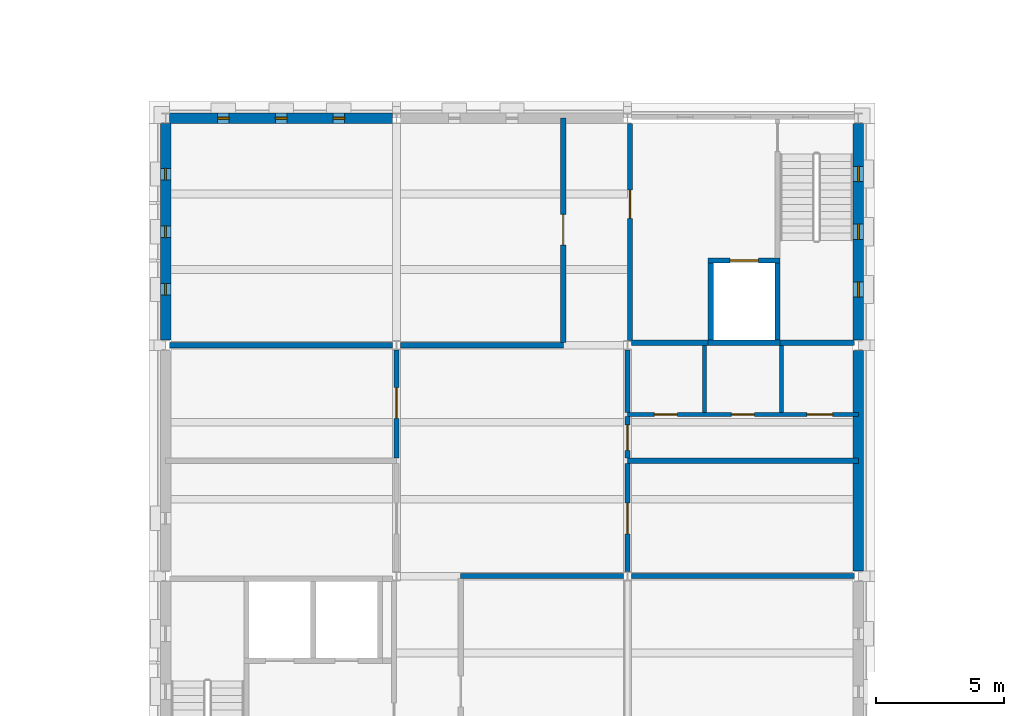
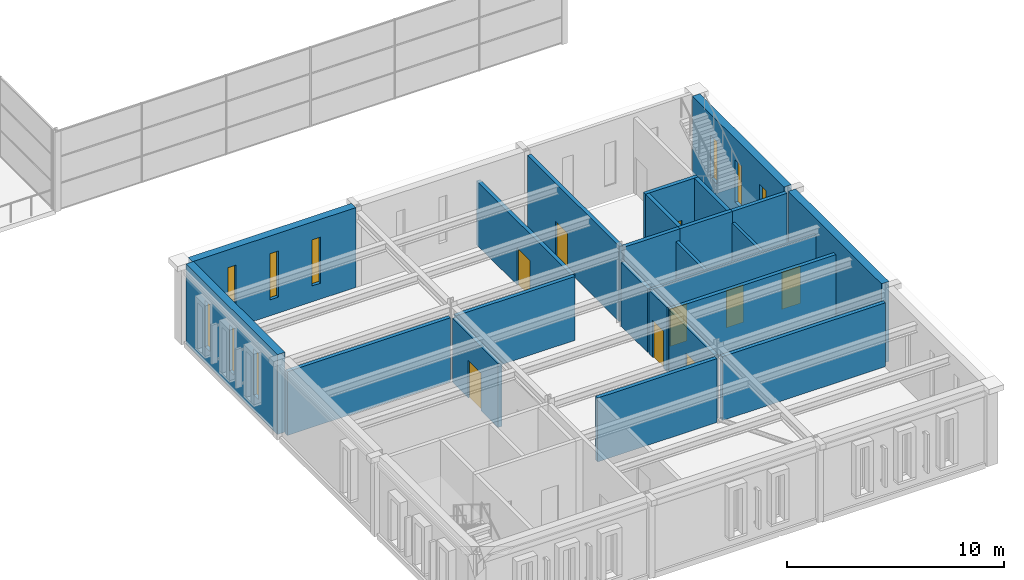
# One storey, part 50 of 70: 24 walls, 9 doors, 9 windows, 18 openings.
"""IFC4 building model written with IfcOpenShell, lengths in metres."""

from ifc_helpers import new_model, si_unit, direction, frame, frame_2d, origin, place, context, subcontext, project, spatial, rectangle, extrude, material, layer, layer_set, type_object, element, fill, save


model = new_model("IFC4")

# Units and contexts
model_context = context("Model", 3, precision=1e-05, world=origin(), true_north=direction((0.0, 1.0)))
body_context = subcontext(model_context, "Body", "Model", "MODEL_VIEW")
ifc_project = project(units=[si_unit("LENGTHUNIT", "METRE"), si_unit("AREAUNIT", "SQUARE_METRE"), si_unit("VOLUMEUNIT", "CUBIC_METRE"), si_unit("PLANEANGLEUNIT", "RADIAN"), si_unit("MASSUNIT", "GRAM", prefix="KILO")], contexts=[model_context])

# Site, building, storey
site_placement = place(None, origin())
site = spatial("IfcSite", under=ifc_project, at=site_placement, CompositionType="ELEMENT")
building_placement = place(site_placement, origin())
building = spatial("IfcBuilding", under=site, at=building_placement, Name="Kallimachos Central Library", CompositionType="ELEMENT")
storey_placement = place(building_placement, frame((0.0, 0.0, 18.89990234375)))
storey = spatial("IfcBuildingStorey", under=building, at=storey_placement, Name="L04", CompositionType="ELEMENT", Elevation=18.89990234375)

# Walls
ifc_material_1 = material(Name="Concrete C30/37", Category="concrete")
ifc_layer_1 = layer(ifc_material_1, 0.199951171875)
ifc_layer_set_1 = layer_set([ifc_layer_1], Name="Compartment wall 200")
wall_type_1 = type_object("IfcWallType", Name="Compartment wall 200", PredefinedType="SOLIDWALL", material=ifc_layer_set_1)
wall_1_placement = place(storey_placement, frame((86.0, 27.0, 0.0), z_axis=(0.0, 0.0, 1.0), x_axis=(1.0, 0.0, 0.0)))
element("IfcWall", 1, at=wall_1_placement, inside=storey, type_object=wall_type_1, Name="V5-WAL-L04-031", PredefinedType="SOLIDWALL", context=body_context, shape_type="SweptSolid", body=[
    extrude(rectangle(XDim=6.35009765625, YDim=0.199951171875, at=frame_2d((3.175048828125, 0.0))), origin(), (0.0, 0.0, 1.0), 3.60009765625),
])
wall_2_placement = place(storey_placement, frame((92.64990234375, 27.0, 0.0), z_axis=(0.0, 0.0, 1.0), x_axis=(1.0, 0.0, 0.0)))
element("IfcWall", 2, at=wall_2_placement, inside=storey, type_object=wall_type_1, Name="V5-WAL-L04-032", PredefinedType="SOLIDWALL", context=body_context, shape_type="SweptSolid", body=[
    extrude(rectangle(XDim=8.7001953125, YDim=0.199951171875, at=frame_2d((4.35009765625, 0.0))), origin(), (0.0, 0.0, 1.0), 3.60009765625),
])
wall_3_placement = place(storey_placement, frame((92.5, 31.5, 0.0), z_axis=(0.0, 0.0, 1.0), x_axis=(1.0, 0.0, 0.0)))
element("IfcWall", 3, at=wall_3_placement, inside=storey, type_object=wall_type_1, Name="V5-WAL-L04-034", PredefinedType="SOLIDWALL", context=body_context, shape_type="SweptSolid", body=[
    extrude(rectangle(XDim=9.0, YDim=0.199951171875, at=frame_2d((4.5, 0.0))), origin(), (0.0, 0.0, 1.0), 3.60009765625),
])
wall_4_placement = place(storey_placement, frame((74.64990234375, 36.0, 0.0), z_axis=(0.0, 0.0, 1.0), x_axis=(1.0, 0.0, 0.0)))
element("IfcWall", 4, at=wall_4_placement, inside=storey, type_object=wall_type_1, Name="V5-WAL-L04-036", PredefinedType="SOLIDWALL", context=body_context, shape_type="SweptSolid", body=[
    extrude(rectangle(XDim=8.7001953125, YDim=0.199951171875, at=frame_2d((4.35009765625, 0.0))), origin(), (0.0, 0.0, 1.0), 3.60009765625),
])
wall_5_placement = place(storey_placement, frame((83.64990234375, 36.0, 0.0), z_axis=(0.0, 0.0, 1.0), x_axis=(1.0, 0.0, 0.0)))
element("IfcWall", 5, at=wall_5_placement, inside=storey, type_object=wall_type_1, Name="V5-WAL-L04-037", PredefinedType="SOLIDWALL", context=body_context, shape_type="SweptSolid", body=[
    extrude(rectangle(XDim=6.35009765625, YDim=0.199951171875, at=frame_2d((3.175048828125, 0.0))), origin(), (0.0, 0.0, 1.0), 3.60009765625),
])

# Wall, opening, door
wall_6_placement = place(storey_placement, frame((83.5, 31.60009765625, 0.0), z_axis=(0.0, 0.0, 1.0), x_axis=(0.0, 1.0, 0.0)))
wall_6 = element("IfcWall", 6, at=wall_6_placement, inside=storey, type_object=wall_type_1, Name="V5-WAL-L04-039", PredefinedType="SOLIDWALL", context=body_context, shape_type="SweptSolid", body=[
    extrude(rectangle(XDim=4.219970703125, YDim=0.199951171875, at=frame_2d((2.10986328125, 0.0))), origin(), (0.0, 0.0, 1.0), 3.60009765625),
])
opening_1_placement = place(wall_6_placement, frame((1.550048828125, 0.0, 0.0)))
opening_1 = element("IfcOpeningElement", 7, at=opening_1_placement, cuts=wall_6, Name="Opening D136", PredefinedType="OPENING", context=body_context, shape_type="SweptSolid", body=[
    extrude(rectangle(XDim=1.199951171875, YDim=2.10009765625, at=frame_2d((0.60009765625, 1.050048828125))), frame((0.0, 0.10986328125, 0.0), z_axis=(0.0, -1.0, 0.0), x_axis=(1.0, 0.0, 0.0)), (0.0, 0.0, 1.0), 0.219970703125),
])
ifc_material_2 = material(Name="Steel fire door", Category="steel")
door_type_1 = type_object("IfcDoorType", Name="Fire door EI2 90 1200 x 2100", OperationType="DOUBLE_DOOR_SINGLE_SWING", PredefinedType="DOOR", material=ifc_material_2)
door_1_placement = place(opening_1_placement, origin())
door_1 = element("IfcDoor", 8, at=door_1_placement, inside=storey, type_object=door_type_1, Name="Rare Books Vault 2 door", OperationType="DOUBLE_DOOR_SINGLE_SWING", OverallHeight=2.10009765625, OverallWidth=1.199951171875, PredefinedType="DOOR", context=body_context, shape_type="SweptSolid", body=[
    extrude(rectangle(XDim=1.199951171875, YDim=2.10009765625, at=frame_2d((0.60009765625, 1.050048828125))), frame((0.0, 0.02490234375, 0.0), z_axis=(0.0, -1.0, 0.0), x_axis=(1.0, 0.0, 0.0)), (0.0, 0.0, 1.0), 0.050048828125),
])
fill(opening_1, door_1)

wall_7_placement = place(storey_placement, frame((90.0, 36.10009765625, 0.0), z_axis=(0.0, 0.0, 1.0), x_axis=(0.0, 1.0, 0.0)))
wall_7 = element("IfcWall", 9, at=wall_7_placement, inside=storey, type_object=wall_type_1, Name="V5-WAL-L04-041", PredefinedType="SOLIDWALL", context=body_context, shape_type="SweptSolid", body=[
    extrude(rectangle(XDim=8.75, YDim=0.199951171875, at=frame_2d((4.375, 0.0))), origin(), (0.0, 0.0, 1.0), 3.60009765625),
])
opening_2_placement = place(wall_7_placement, frame((3.800048828125, 0.0, 0.0)))
opening_2 = element("IfcOpeningElement", 10, at=opening_2_placement, cuts=wall_7, Name="Opening D137", PredefinedType="OPENING", context=body_context, shape_type="SweptSolid", body=[
    extrude(rectangle(XDim=1.199951171875, YDim=2.10009765625, at=frame_2d((0.60009765625, 1.050048828125))), frame((0.0, 0.10986328125, 0.0), z_axis=(0.0, -1.0, 0.0), x_axis=(1.0, 0.0, 0.0)), (0.0, 0.0, 1.0), 0.219970703125),
])
door_2_placement = place(opening_2_placement, origin())
door_2 = element("IfcDoor", 11, at=door_2_placement, inside=storey, type_object=door_type_1, Name="Closed Stacks 4 door", OperationType="DOUBLE_DOOR_SINGLE_SWING", OverallHeight=2.10009765625, OverallWidth=1.199951171875, PredefinedType="DOOR", context=body_context, shape_type="SweptSolid", body=[
    extrude(rectangle(XDim=1.199951171875, YDim=2.10009765625, at=frame_2d((0.60009765625, 1.050048828125))), frame((0.0, 0.02490234375, 0.0), z_axis=(0.0, -1.0, 0.0), x_axis=(1.0, 0.0, 0.0)), (0.0, 0.0, 1.0), 0.050048828125),
])
fill(opening_2, door_2)

wall_8_placement = place(storey_placement, frame((92.5, 27.179931640625, 0.0), z_axis=(0.0, 0.0, 1.0), x_axis=(0.0, 1.0, 0.0)))
wall_8 = element("IfcWall", 12, at=wall_8_placement, inside=storey, type_object=wall_type_1, Name="V5-WAL-L04-042", PredefinedType="SOLIDWALL", context=body_context, shape_type="SweptSolid", body=[
    extrude(rectangle(XDim=4.219970703125, YDim=0.199951171875, at=frame_2d((2.10986328125, 0.0))), origin(), (0.0, 0.0, 1.0), 3.60009765625),
])
opening_3_placement = place(wall_8_placement, frame((1.469970703125, 0.0, 0.0)))
opening_3 = element("IfcOpeningElement", 13, at=opening_3_placement, cuts=wall_8, Name="Opening D139", PredefinedType="OPENING", context=body_context, shape_type="SweptSolid", body=[
    extrude(rectangle(XDim=1.199951171875, YDim=2.10009765625, at=frame_2d((0.60009765625, 1.050048828125))), frame((0.0, 0.10986328125, 0.0), z_axis=(0.0, -1.0, 0.0), x_axis=(1.0, 0.0, 0.0)), (0.0, 0.0, 1.0), 0.219970703125),
])
door_3_placement = place(opening_3_placement, origin())
door_3 = element("IfcDoor", 14, at=door_3_placement, inside=storey, type_object=door_type_1, Name="Rare Books Vault 1 door", OperationType="DOUBLE_DOOR_SINGLE_SWING", OverallHeight=2.10009765625, OverallWidth=1.199951171875, PredefinedType="DOOR", context=body_context, shape_type="SweptSolid", body=[
    extrude(rectangle(XDim=1.199951171875, YDim=2.10009765625, at=frame_2d((0.60009765625, 1.050048828125))), frame((0.0, 0.02490234375, 0.0), z_axis=(0.0, -1.0, 0.0), x_axis=(1.0, 0.0, 0.0)), (0.0, 0.0, 1.0), 0.050048828125),
])
fill(opening_3, door_3)

wall_9_placement = place(storey_placement, frame((92.5, 31.60009765625, 0.0), z_axis=(0.0, 0.0, 1.0), x_axis=(0.0, 1.0, 0.0)))
wall_9 = element("IfcWall", 15, at=wall_9_placement, inside=storey, type_object=wall_type_1, Name="V5-WAL-L04-043", PredefinedType="SOLIDWALL", context=body_context, shape_type="SweptSolid", body=[
    extrude(rectangle(XDim=1.625, YDim=0.199951171875, at=frame_2d((0.8125, 0.0))), origin(), (0.0, 0.0, 1.0), 3.60009765625),
])
opening_4_placement = place(wall_9_placement, frame((0.300048828125, 0.0, 0.0)))
opening_4 = element("IfcOpeningElement", 16, at=opening_4_placement, cuts=wall_9, Name="Opening D140", PredefinedType="OPENING", context=body_context, shape_type="SweptSolid", body=[
    extrude(rectangle(XDim=1.0, YDim=2.10009765625, at=frame_2d((0.5, 1.050048828125))), frame((0.0, 0.10986328125, 0.0), z_axis=(0.0, -1.0, 0.0), x_axis=(1.0, 0.0, 0.0)), (0.0, 0.0, 1.0), 0.219970703125),
])
ifc_material_3 = material(Name="Steel fire door", Category="steel")
door_type_2 = type_object("IfcDoorType", Name="Fire door EI2 90 1000 x 2100", OperationType="NOTDEFINED", PredefinedType="DOOR", material=ifc_material_3)
door_4_placement = place(opening_4_placement, frame((1.0, 0.0, 0.0), z_axis=(0.0, 0.0, 1.0), x_axis=(-1.0, 0.0, 0.0)))
door_4 = element("IfcDoor", 17, at=door_4_placement, inside=storey, type_object=door_type_2, Name="WC Lobby door", OperationType="SINGLE_SWING_LEFT", OverallHeight=2.10009765625, OverallWidth=1.0, PredefinedType="DOOR", context=body_context, shape_type="SweptSolid", body=[
    extrude(rectangle(XDim=1.0, YDim=2.10009765625, at=frame_2d((0.5, 1.050048828125))), frame((0.0, 0.02490234375, 0.0), z_axis=(0.0, -1.0, 0.0), x_axis=(1.0, 0.0, 0.0)), (0.0, 0.0, 1.0), 0.050048828125),
])
fill(opening_4, door_4)

# Walls
wall_10_placement = place(storey_placement, frame((92.5, 33.375, 0.0), z_axis=(0.0, 0.0, 1.0), x_axis=(0.0, 1.0, 0.0)))
element("IfcWall", 18, at=wall_10_placement, inside=storey, type_object=wall_type_1, Name="V5-WAL-L04-044", PredefinedType="SOLIDWALL", context=body_context, shape_type="SweptSolid", body=[
    extrude(rectangle(XDim=2.445068359375, YDim=0.199951171875, at=frame_2d((1.22265625, 0.0))), origin(), (0.0, 0.0, 1.0), 3.60009765625),
])
ifc_material_4 = material(Name="Concrete C30/37", Category="concrete")
ifc_layer_2 = layer(ifc_material_4, 0.199951171875)
ifc_layer_set_2 = layer_set([ifc_layer_2], Name="Core wall 200")
wall_type_2 = type_object("IfcWallType", Name="Core wall 200", PredefinedType="SOLIDWALL", material=ifc_layer_set_2)
wall_11_placement = place(storey_placement, frame((92.64990234375, 36.10009765625, 0.0), z_axis=(0.0, 0.0, 1.0), x_axis=(1.0, 0.0, 0.0)))
element("IfcWall", 19, at=wall_11_placement, inside=storey, type_object=wall_type_2, Name="V5-WAL-L04-027", PredefinedType="SOLIDWALL", context=body_context, shape_type="SweptSolid", body=[
    extrude(rectangle(XDim=3.0, YDim=0.199951171875, at=frame_2d((1.5, 0.0))), origin(), (0.0, 0.0, 1.0), 4.25),
])
wall_12_placement = place(storey_placement, frame((98.449951171875, 36.10009765625, 0.0), z_axis=(0.0, 0.0, 1.0), x_axis=(1.0, 0.0, 0.0)))
element("IfcWall", 20, at=wall_12_placement, inside=storey, type_object=wall_type_2, Name="V5-WAL-L04-028", PredefinedType="SOLIDWALL", context=body_context, shape_type="SweptSolid", body=[
    extrude(rectangle(XDim=2.900146484375, YDim=0.199951171875, at=frame_2d((1.4501953125, 0.0))), origin(), (0.0, 0.0, 1.0), 4.25),
])

# Wall, opening, door
wall_13_placement = place(storey_placement, frame((92.60009765625, 36.179931640625, 0.0), z_axis=(0.0, 0.0, 1.0), x_axis=(0.0, 1.0, 0.0)))
wall_13 = element("IfcWall", 21, at=wall_13_placement, inside=storey, type_object=wall_type_2, Name="V5-WAL-L04-029", PredefinedType="SOLIDWALL", context=body_context, shape_type="SweptSolid", body=[
    extrude(rectangle(XDim=8.469970703125, YDim=0.199951171875, at=frame_2d((4.23486328125, 0.0))), origin(), (0.0, 0.0, 1.0), 4.25),
])
opening_5_placement = place(wall_13_placement, frame((4.77001953125, 0.0, 0.0)))
opening_5 = element("IfcOpeningElement", 22, at=opening_5_placement, cuts=wall_13, Name="Opening D134", PredefinedType="OPENING", context=body_context, shape_type="SweptSolid", body=[
    extrude(rectangle(XDim=1.10009765625, YDim=2.10009765625, at=frame_2d((0.550048828125, 1.050048828125))), frame((0.0, 0.10986328125, 0.0), z_axis=(0.0, -1.0, 0.0), x_axis=(1.0, 0.0, 0.0)), (0.0, 0.0, 1.0), 0.219970703125),
])
ifc_material_5 = material(Name="Steel fire door", Category="steel")
door_type_3 = type_object("IfcDoorType", Name="Fire door EI2 90 1100 x 2100", OperationType="NOTDEFINED", PredefinedType="DOOR", material=ifc_material_5)
door_5_placement = place(opening_5_placement, frame((1.10009765625, 0.0, 0.0), z_axis=(0.0, 0.0, 1.0), x_axis=(-1.0, 0.0, 0.0)))
door_5 = element("IfcDoor", 23, at=door_5_placement, inside=storey, type_object=door_type_3, Name="ST14 lobby door L04", OperationType="SINGLE_SWING_LEFT", OverallHeight=2.10009765625, OverallWidth=1.10009765625, PredefinedType="DOOR", context=body_context, shape_type="SweptSolid", body=[
    extrude(rectangle(XDim=1.10009765625, YDim=2.10009765625, at=frame_2d((0.550048828125, 1.050048828125))), frame((0.0, 0.02490234375, 0.0), z_axis=(0.0, -1.0, 0.0), x_axis=(1.0, 0.0, 0.0)), (0.0, 0.0, 1.0), 0.050048828125),
])
fill(opening_5, door_5)

# Wall, openings, doors
ifc_material_6 = material(Name="Gypsum board partition")
ifc_layer_3 = layer(ifc_material_6, 0.14990234375)
ifc_layer_set_3 = layer_set([ifc_layer_3], Name="Fire-resisting partition 150")
wall_type_3 = type_object("IfcWallType", Name="Fire-resisting partition 150", PredefinedType="PARTITIONING", material=ifc_layer_set_3)
wall_14_placement = place(storey_placement, frame((92.5, 33.300048828125, 0.0), z_axis=(0.0, 0.0, 1.0), x_axis=(1.0, 0.0, 0.0)))
wall_14 = element("IfcWall", 24, at=wall_14_placement, inside=storey, type_object=wall_type_3, Name="V5-WAL-L04-035", PredefinedType="PARTITIONING", context=body_context, shape_type="SweptSolid", body=[
    extrude(rectangle(XDim=9.0, YDim=0.14990234375, at=frame_2d((4.5, 0.0))), origin(), (0.0, 0.0, 1.0), 3.60009765625),
])
opening_6_placement = place(wall_14_placement, frame((1.050048828125, 0.0, 0.0)))
opening_6 = element("IfcOpeningElement", 25, at=opening_6_placement, cuts=wall_14, Name="Opening D141", PredefinedType="OPENING", context=body_context, shape_type="SweptSolid", body=[
    extrude(rectangle(XDim=0.89990234375, YDim=2.10009765625, at=frame_2d((0.449951171875, 1.050048828125))), frame((0.0, 0.0849609375, 0.0), z_axis=(0.0, -1.0, 0.0), x_axis=(1.0, 0.0, 0.0)), (0.0, 0.0, 1.0), 0.169921875),
])
opening_7_placement = place(wall_14_placement, frame((4.050048828125, 0.0, 0.0)))
opening_7 = element("IfcOpeningElement", 26, at=opening_7_placement, cuts=wall_14, Name="Opening D142", PredefinedType="OPENING", context=body_context, shape_type="SweptSolid", body=[
    extrude(rectangle(XDim=0.89990234375, YDim=2.10009765625, at=frame_2d((0.449951171875, 1.050048828125))), frame((0.0, 0.0849609375, 0.0), z_axis=(0.0, -1.0, 0.0), x_axis=(1.0, 0.0, 0.0)), (0.0, 0.0, 1.0), 0.169921875),
])
opening_8_placement = place(wall_14_placement, frame((7.0, 0.0, 0.0)))
opening_8 = element("IfcOpeningElement", 27, at=opening_8_placement, cuts=wall_14, Name="Opening D143", PredefinedType="OPENING", context=body_context, shape_type="SweptSolid", body=[
    extrude(rectangle(XDim=1.0, YDim=2.10009765625, at=frame_2d((0.5, 1.050048828125))), frame((0.0, 0.0849609375, 0.0), z_axis=(0.0, -1.0, 0.0), x_axis=(1.0, 0.0, 0.0)), (0.0, 0.0, 1.0), 0.169921875),
])
ifc_material_7 = material(Name="Steel fire door", Category="steel")
door_type_4 = type_object("IfcDoorType", Name="Fire door EI2 30 1000 x 2100", OperationType="NOTDEFINED", PredefinedType="DOOR", material=ifc_material_7)
door_6_placement = place(opening_8_placement, origin())
door_6 = element("IfcDoor", 28, at=door_6_placement, inside=storey, type_object=door_type_4, Name="Accessible WC door", OperationType="SINGLE_SWING_LEFT", OverallHeight=2.10009765625, OverallWidth=1.0, PredefinedType="DOOR", context=body_context, shape_type="SweptSolid", body=[
    extrude(rectangle(XDim=1.0, YDim=2.10009765625, at=frame_2d((0.5, 1.050048828125))), frame((0.0, 0.02490234375, 0.0), z_axis=(0.0, -1.0, 0.0), x_axis=(1.0, 0.0, 0.0)), (0.0, 0.0, 1.0), 0.050048828125),
])
fill(opening_8, door_6)
ifc_material_8 = material(Name="Steel fire door", Category="steel")
door_type_5 = type_object("IfcDoorType", Name="Fire door EI2 30 900 x 2100", OperationType="NOTDEFINED", PredefinedType="DOOR", material=ifc_material_8)
door_7_placement = place(opening_6_placement, origin())
door_7 = element("IfcDoor", 29, at=door_7_placement, inside=storey, type_object=door_type_5, Name="Men's WC door", OperationType="SINGLE_SWING_RIGHT", OverallHeight=2.10009765625, OverallWidth=0.89990234375, PredefinedType="DOOR", context=body_context, shape_type="SweptSolid", body=[
    extrude(rectangle(XDim=0.89990234375, YDim=2.10009765625, at=frame_2d((0.449951171875, 1.050048828125))), frame((0.0, 0.02490234375, 0.0), z_axis=(0.0, -1.0, 0.0), x_axis=(1.0, 0.0, 0.0)), (0.0, 0.0, 1.0), 0.050048828125),
])
fill(opening_6, door_7)
door_8_placement = place(opening_7_placement, origin())
door_8 = element("IfcDoor", 30, at=door_8_placement, inside=storey, type_object=door_type_5, Name="Women's WC door", OperationType="SINGLE_SWING_RIGHT", OverallHeight=2.10009765625, OverallWidth=0.89990234375, PredefinedType="DOOR", context=body_context, shape_type="SweptSolid", body=[
    extrude(rectangle(XDim=0.89990234375, YDim=2.10009765625, at=frame_2d((0.449951171875, 1.050048828125))), frame((0.0, 0.02490234375, 0.0), z_axis=(0.0, -1.0, 0.0), x_axis=(1.0, 0.0, 0.0)), (0.0, 0.0, 1.0), 0.050048828125),
])
fill(opening_7, door_8)

# Walls
for number, where, z_axis, x_axis, name in (
    (31, (95.5, 33.375, 0.0), (0.0, 0.0, 1.0), (0.0, 1.0, 0.0), "V5-WAL-L04-045"),
    (32, (98.5, 33.375, 0.0), (0.0, 0.0, 1.0), (0.0, 1.0, 0.0), "V5-WAL-L04-046"),
):
    element("IfcWall", number, at=place(storey_placement, frame(where, z_axis=z_axis, x_axis=x_axis)), inside=storey, type_object=wall_type_3, Name=name, PredefinedType="PARTITIONING", context=body_context, shape_type="SweptSolid", body=[
        extrude(rectangle(XDim=2.625, YDim=0.14990234375, at=frame_2d((1.3125, 0.0))), origin(), (0.0, 0.0, 1.0), 3.60009765625),
    ])
ifc_material_9 = material(Name="Concrete C30/37", Category="concrete")
ifc_layer_4 = layer(ifc_material_9, 0.199951171875)
ifc_layer_set_4 = layer_set([ifc_layer_4], Name="Lift shaft wall 200")
wall_type_4 = type_object("IfcWallType", Name="Lift shaft wall 200", PredefinedType="SOLIDWALL", material=ifc_layer_set_4)
wall_15_placement = place(storey_placement, frame((95.64990234375, 36.10009765625, 0.0), z_axis=(0.0, 0.0, 1.0), x_axis=(1.0, 0.0, 0.0)))
element("IfcWall", 33, at=wall_15_placement, inside=storey, type_object=wall_type_4, Name="V5-WAL-L04-006", PredefinedType="SOLIDWALL", context=body_context, shape_type="SweptSolid", body=[
    extrude(rectangle(XDim=2.800048828125, YDim=0.199951171875, at=frame_2d((1.39990234375, 0.0))), origin(), (0.0, 0.0, 1.0), 4.25),
])

# Wall, opening, door
wall_16_placement = place(storey_placement, frame((95.64990234375, 39.300048828125, 0.0), z_axis=(0.0, 0.0, 1.0), x_axis=(1.0, 0.0, 0.0)))
wall_16 = element("IfcWall", 34, at=wall_16_placement, inside=storey, type_object=wall_type_4, Name="V5-WAL-L04-007", PredefinedType="SOLIDWALL", context=body_context, shape_type="SweptSolid", body=[
    extrude(rectangle(XDim=2.800048828125, YDim=0.199951171875, at=frame_2d((1.39990234375, 0.0))), origin(), (0.0, 0.0, 1.0), 4.25),
])
opening_9_placement = place(wall_16_placement, frame((0.85009765625, 0.0, 0.0)))
opening_9 = element("IfcOpeningElement", 35, at=opening_9_placement, cuts=wall_16, Name="Opening LD1100", PredefinedType="OPENING", context=body_context, shape_type="SweptSolid", body=[
    extrude(rectangle(XDim=1.10009765625, YDim=2.10009765625, at=frame_2d((0.550048828125, 1.050048828125))), frame((0.0, 0.10986328125, 0.0), z_axis=(0.0, -1.0, 0.0), x_axis=(1.0, 0.0, 0.0)), (0.0, 0.0, 1.0), 0.219970703125),
])
ifc_material_10 = material(Name="Stainless steel", Category="steel")
door_type_6 = type_object("IfcDoorType", Name="Lift landing door 1100 x 2100", OperationType="SLIDING_TO_LEFT", PredefinedType="DOOR", material=ifc_material_10)
door_9_placement = place(opening_9_placement, origin())
door_9 = element("IfcDoor", 36, at=door_9_placement, inside=storey, type_object=door_type_6, Name="LF13 landing door L04", OperationType="SLIDING_TO_LEFT", OverallHeight=2.10009765625, OverallWidth=1.10009765625, PredefinedType="DOOR", context=body_context, shape_type="SweptSolid", body=[
    extrude(rectangle(XDim=1.10009765625, YDim=2.10009765625, at=frame_2d((0.550048828125, 1.050048828125))), frame((0.0, 0.02490234375, 0.0), z_axis=(0.0, -1.0, 0.0), x_axis=(1.0, 0.0, 0.0)), (0.0, 0.0, 1.0), 0.050048828125),
])
fill(opening_9, door_9)

# Walls
for number, where, z_axis, x_axis, name in (
    (37, (95.75, 36.199951171875, 0.0), (0.0, 0.0, 1.0), (0.0, 1.0, 0.0), "V5-WAL-L04-008"),
    (38, (98.35009765625, 36.199951171875, 0.0), (0.0, 0.0, 1.0), (0.0, 1.0, 0.0), "V5-WAL-L04-009"),
):
    element("IfcWall", number, at=place(storey_placement, frame(where, z_axis=z_axis, x_axis=x_axis)), inside=storey, type_object=wall_type_4, Name=name, PredefinedType="SOLIDWALL", context=body_context, shape_type="SweptSolid", body=[
        extrude(rectangle(XDim=3.0, YDim=0.199951171875, at=frame_2d((1.5, 0.0))), origin(), (0.0, 0.0, 1.0), 4.25),
    ])

# Wall, openings, windows
ifc_material_11 = material(Name="Pentelic marble masonry", Category="masonry")
ifc_layer_5 = layer(ifc_material_11, 0.39990234375)
ifc_layer_set_5 = layer_set([ifc_layer_5], Name="Stone masonry wall 400")
wall_type_5 = type_object("IfcWallType", Name="Stone masonry wall 400", PredefinedType="SOLIDWALL", material=ifc_layer_set_5)
wall_17_placement = place(storey_placement, frame((74.64990234375, 44.85009765625, 0.0), z_axis=(0.0, 0.0, 1.0), x_axis=(1.0, 0.0, 0.0)))
wall_17 = element("IfcWall", 39, at=wall_17_placement, inside=storey, type_object=wall_type_5, Name="V5-WAL-L04-013", PredefinedType="SOLIDWALL", context=body_context, shape_type="SweptSolid", body=[
    extrude(rectangle(XDim=8.7001953125, YDim=0.39990234375, at=frame_2d((4.35009765625, 0.0))), origin(), (0.0, 0.0, 1.0), 4.5),
])
opening_10_placement = place(wall_17_placement, frame((1.875, 0.0, 0.89990234375)))
opening_10 = element("IfcOpeningElement", 40, at=opening_10_placement, cuts=wall_17, Name="Opening WN139", PredefinedType="OPENING", context=body_context, shape_type="SweptSolid", body=[
    extrude(rectangle(XDim=0.449951171875, YDim=2.60009765625, at=frame_2d((0.22509765625, 1.300048828125))), frame((0.0, 0.2099609375, 0.0), z_axis=(0.0, -1.0, 0.0), x_axis=(1.0, 0.0, 0.0)), (0.0, 0.0, 1.0), 0.419921875),
])
opening_11_placement = place(wall_17_placement, frame((4.125, 0.0, 0.89990234375)))
opening_11 = element("IfcOpeningElement", 41, at=opening_11_placement, cuts=wall_17, Name="Opening WN140", PredefinedType="OPENING", context=body_context, shape_type="SweptSolid", body=[
    extrude(rectangle(XDim=0.449951171875, YDim=2.60009765625, at=frame_2d((0.22509765625, 1.300048828125))), frame((0.0, 0.2099609375, 0.0), z_axis=(0.0, -1.0, 0.0), x_axis=(1.0, 0.0, 0.0)), (0.0, 0.0, 1.0), 0.419921875),
])
opening_12_placement = place(wall_17_placement, frame((6.375, 0.0, 0.89990234375)))
opening_12 = element("IfcOpeningElement", 42, at=opening_12_placement, cuts=wall_17, Name="Opening WN141", PredefinedType="OPENING", context=body_context, shape_type="SweptSolid", body=[
    extrude(rectangle(XDim=0.449951171875, YDim=2.60009765625, at=frame_2d((0.22509765625, 1.300048828125))), frame((0.0, 0.2099609375, 0.0), z_axis=(0.0, -1.0, 0.0), x_axis=(1.0, 0.0, 0.0)), (0.0, 0.0, 1.0), 0.419921875),
])
ifc_material_12 = material(Name="Anodised aluminium and laminated glass", Category="aluminium")
window_type_1 = type_object("IfcWindowType", Name="Stack slot window 450 x 2600", PartitioningType="SINGLE_PANEL", PredefinedType="WINDOW", material=ifc_material_12)
window_1_placement = place(opening_10_placement, origin())
window_1 = element("IfcWindow", 43, at=window_1_placement, inside=storey, type_object=window_type_1, Name="V5-WIN-L04-009", OverallHeight=2.60009765625, OverallWidth=0.449951171875, PartitioningType="SINGLE_PANEL", PredefinedType="WINDOW", context=body_context, shape_type="SweptSolid", body=[
    extrude(rectangle(XDim=0.449951171875, YDim=2.60009765625, at=frame_2d((0.22509765625, 1.300048828125))), frame((0.0, 0.030029296875, 0.0), z_axis=(0.0, -1.0, 0.0), x_axis=(1.0, 0.0, 0.0)), (0.0, 0.0, 1.0), 0.06005859375),
])
fill(opening_10, window_1)
window_2_placement = place(opening_11_placement, origin())
window_2 = element("IfcWindow", 44, at=window_2_placement, inside=storey, type_object=window_type_1, Name="V5-WIN-L04-010", OverallHeight=2.60009765625, OverallWidth=0.449951171875, PartitioningType="SINGLE_PANEL", PredefinedType="WINDOW", context=body_context, shape_type="SweptSolid", body=[
    extrude(rectangle(XDim=0.449951171875, YDim=2.60009765625, at=frame_2d((0.22509765625, 1.300048828125))), frame((0.0, 0.030029296875, 0.0), z_axis=(0.0, -1.0, 0.0), x_axis=(1.0, 0.0, 0.0)), (0.0, 0.0, 1.0), 0.06005859375),
])
fill(opening_11, window_2)
window_3_placement = place(opening_12_placement, origin())
window_3 = element("IfcWindow", 45, at=window_3_placement, inside=storey, type_object=window_type_1, Name="V5-WIN-L04-011", OverallHeight=2.60009765625, OverallWidth=0.449951171875, PartitioningType="SINGLE_PANEL", PredefinedType="WINDOW", context=body_context, shape_type="SweptSolid", body=[
    extrude(rectangle(XDim=0.449951171875, YDim=2.60009765625, at=frame_2d((0.22509765625, 1.300048828125))), frame((0.0, 0.030029296875, 0.0), z_axis=(0.0, -1.0, 0.0), x_axis=(1.0, 0.0, 0.0)), (0.0, 0.0, 1.0), 0.06005859375),
])
fill(opening_12, window_3)

wall_18_placement = place(storey_placement, frame((74.5, 36.199951171875, 0.0), z_axis=(0.0, 0.0, 1.0), x_axis=(0.0, 1.0, 0.0)))
wall_18 = element("IfcWall", 46, at=wall_18_placement, inside=storey, type_object=wall_type_5, Name="V5-WAL-L04-018", PredefinedType="SOLIDWALL", context=body_context, shape_type="SweptSolid", body=[
    extrude(rectangle(XDim=8.449951171875, YDim=0.39990234375, at=frame_2d((4.22509765625, 0.0))), origin(), (0.0, 0.0, 1.0), 4.5),
])
opening_13_placement = place(wall_18_placement, frame((1.75, 0.0, 0.89990234375)))
opening_13 = element("IfcOpeningElement", 47, at=opening_13_placement, cuts=wall_18, Name="Opening WN151", PredefinedType="OPENING", context=body_context, shape_type="SweptSolid", body=[
    extrude(rectangle(XDim=0.449951171875, YDim=2.60009765625, at=frame_2d((0.22509765625, 1.300048828125))), frame((0.0, 0.2099609375, 0.0), z_axis=(0.0, -1.0, 0.0), x_axis=(1.0, 0.0, 0.0)), (0.0, 0.0, 1.0), 0.419921875),
])
opening_14_placement = place(wall_18_placement, frame((4.0, 0.0, 0.89990234375)))
opening_14 = element("IfcOpeningElement", 48, at=opening_14_placement, cuts=wall_18, Name="Opening WN152", PredefinedType="OPENING", context=body_context, shape_type="SweptSolid", body=[
    extrude(rectangle(XDim=0.449951171875, YDim=2.60009765625, at=frame_2d((0.22509765625, 1.300048828125))), frame((0.0, 0.2099609375, 0.0), z_axis=(0.0, -1.0, 0.0), x_axis=(1.0, 0.0, 0.0)), (0.0, 0.0, 1.0), 0.419921875),
])
opening_15_placement = place(wall_18_placement, frame((6.25, 0.0, 0.89990234375)))
opening_15 = element("IfcOpeningElement", 49, at=opening_15_placement, cuts=wall_18, Name="Opening WN153", PredefinedType="OPENING", context=body_context, shape_type="SweptSolid", body=[
    extrude(rectangle(XDim=0.449951171875, YDim=2.60009765625, at=frame_2d((0.22509765625, 1.300048828125))), frame((0.0, 0.2099609375, 0.0), z_axis=(0.0, -1.0, 0.0), x_axis=(1.0, 0.0, 0.0)), (0.0, 0.0, 1.0), 0.419921875),
])
window_4_placement = place(opening_13_placement, origin())
window_4 = element("IfcWindow", 50, at=window_4_placement, inside=storey, type_object=window_type_1, Name="V5-WIN-L04-021", OverallHeight=2.60009765625, OverallWidth=0.449951171875, PartitioningType="SINGLE_PANEL", PredefinedType="WINDOW", context=body_context, shape_type="SweptSolid", body=[
    extrude(rectangle(XDim=0.449951171875, YDim=2.60009765625, at=frame_2d((0.22509765625, 1.300048828125))), frame((0.0, 0.030029296875, 0.0), z_axis=(0.0, -1.0, 0.0), x_axis=(1.0, 0.0, 0.0)), (0.0, 0.0, 1.0), 0.06005859375),
])
fill(opening_13, window_4)
window_5_placement = place(opening_14_placement, origin())
window_5 = element("IfcWindow", 51, at=window_5_placement, inside=storey, type_object=window_type_1, Name="V5-WIN-L04-022", OverallHeight=2.60009765625, OverallWidth=0.449951171875, PartitioningType="SINGLE_PANEL", PredefinedType="WINDOW", context=body_context, shape_type="SweptSolid", body=[
    extrude(rectangle(XDim=0.449951171875, YDim=2.60009765625, at=frame_2d((0.22509765625, 1.300048828125))), frame((0.0, 0.030029296875, 0.0), z_axis=(0.0, -1.0, 0.0), x_axis=(1.0, 0.0, 0.0)), (0.0, 0.0, 1.0), 0.06005859375),
])
fill(opening_14, window_5)
window_6_placement = place(opening_15_placement, origin())
window_6 = element("IfcWindow", 52, at=window_6_placement, inside=storey, type_object=window_type_1, Name="V5-WIN-L04-023", OverallHeight=2.60009765625, OverallWidth=0.449951171875, PartitioningType="SINGLE_PANEL", PredefinedType="WINDOW", context=body_context, shape_type="SweptSolid", body=[
    extrude(rectangle(XDim=0.449951171875, YDim=2.60009765625, at=frame_2d((0.22509765625, 1.300048828125))), frame((0.0, 0.030029296875, 0.0), z_axis=(0.0, -1.0, 0.0), x_axis=(1.0, 0.0, 0.0)), (0.0, 0.0, 1.0), 0.06005859375),
])
fill(opening_15, window_6)

# Wall
wall_19_placement = place(storey_placement, frame((101.5, 27.199951171875, 0.0), z_axis=(0.0, 0.0, 1.0), x_axis=(0.0, 1.0, 0.0)))
element("IfcWall", 53, at=wall_19_placement, inside=storey, type_object=wall_type_5, Name="V5-WAL-L04-020", PredefinedType="SOLIDWALL", context=body_context, shape_type="SweptSolid", body=[
    extrude(rectangle(XDim=8.60009765625, YDim=0.39990234375, at=frame_2d((4.300048828125, 0.0))), origin(), (0.0, 0.0, 1.0), 4.5),
])

# Wall, openings, windows
ifc_material_13 = material(Name="Concrete C30/37", Category="concrete")
ifc_layer_6 = layer(ifc_material_13, 0.39990234375)
ifc_layer_set_6 = layer_set([ifc_layer_6], Name="Stone-clad core wall 400")
wall_type_6 = type_object("IfcWallType", Name="Stone-clad core wall 400", PredefinedType="SOLIDWALL", material=ifc_layer_set_6)
wall_20_placement = place(storey_placement, frame((101.5, 36.199951171875, 0.0), z_axis=(0.0, 0.0, 1.0), x_axis=(0.0, 1.0, 0.0)))
wall_20 = element("IfcWall", 54, at=wall_20_placement, inside=storey, type_object=wall_type_6, Name="V5-WAL-L04-021", PredefinedType="SOLIDWALL", context=body_context, shape_type="SweptSolid", body=[
    extrude(rectangle(XDim=8.449951171875, YDim=0.39990234375, at=frame_2d((4.22509765625, 0.0))), origin(), (0.0, 0.0, 1.0), 4.5),
])
opening_16_placement = place(wall_20_placement, frame((1.675048828125, 0.0, 0.89990234375)))
opening_16 = element("IfcOpeningElement", 55, at=opening_16_placement, cuts=wall_20, Name="Opening WN157", PredefinedType="OPENING", context=body_context, shape_type="SweptSolid", body=[
    extrude(rectangle(XDim=0.60009765625, YDim=2.39990234375, at=frame_2d((0.300048828125, 1.199951171875))), frame((0.0, 0.2099609375, 0.0), z_axis=(0.0, -1.0, 0.0), x_axis=(1.0, 0.0, 0.0)), (0.0, 0.0, 1.0), 0.419921875),
])
opening_17_placement = place(wall_20_placement, frame((3.925048828125, 0.0, 0.89990234375)))
opening_17 = element("IfcOpeningElement", 56, at=opening_17_placement, cuts=wall_20, Name="Opening WN158", PredefinedType="OPENING", context=body_context, shape_type="SweptSolid", body=[
    extrude(rectangle(XDim=0.60009765625, YDim=2.39990234375, at=frame_2d((0.300048828125, 1.199951171875))), frame((0.0, 0.2099609375, 0.0), z_axis=(0.0, -1.0, 0.0), x_axis=(1.0, 0.0, 0.0)), (0.0, 0.0, 1.0), 0.419921875),
])
opening_18_placement = place(wall_20_placement, frame((6.175048828125, 0.0, 0.89990234375)))
opening_18 = element("IfcOpeningElement", 57, at=opening_18_placement, cuts=wall_20, Name="Opening WN159", PredefinedType="OPENING", context=body_context, shape_type="SweptSolid", body=[
    extrude(rectangle(XDim=0.60009765625, YDim=2.39990234375, at=frame_2d((0.300048828125, 1.199951171875))), frame((0.0, 0.2099609375, 0.0), z_axis=(0.0, -1.0, 0.0), x_axis=(1.0, 0.0, 0.0)), (0.0, 0.0, 1.0), 0.419921875),
])
ifc_material_14 = material(Name="Anodised aluminium and laminated glass", Category="aluminium")
window_type_2 = type_object("IfcWindowType", Name="Slot window 600 x 2400", PartitioningType="SINGLE_PANEL", PredefinedType="WINDOW", material=ifc_material_14)
window_7_placement = place(opening_16_placement, origin())
window_7 = element("IfcWindow", 58, at=window_7_placement, inside=storey, type_object=window_type_2, Name="V5-WIN-L04-027", OverallHeight=2.39990234375, OverallWidth=0.60009765625, PartitioningType="SINGLE_PANEL", PredefinedType="WINDOW", context=body_context, shape_type="SweptSolid", body=[
    extrude(rectangle(XDim=0.60009765625, YDim=2.39990234375, at=frame_2d((0.300048828125, 1.199951171875))), frame((0.0, 0.030029296875, 0.0), z_axis=(0.0, -1.0, 0.0), x_axis=(1.0, 0.0, 0.0)), (0.0, 0.0, 1.0), 0.06005859375),
])
fill(opening_16, window_7)
window_8_placement = place(opening_17_placement, origin())
window_8 = element("IfcWindow", 59, at=window_8_placement, inside=storey, type_object=window_type_2, Name="V5-WIN-L04-028", OverallHeight=2.39990234375, OverallWidth=0.60009765625, PartitioningType="SINGLE_PANEL", PredefinedType="WINDOW", context=body_context, shape_type="SweptSolid", body=[
    extrude(rectangle(XDim=0.60009765625, YDim=2.39990234375, at=frame_2d((0.300048828125, 1.199951171875))), frame((0.0, 0.030029296875, 0.0), z_axis=(0.0, -1.0, 0.0), x_axis=(1.0, 0.0, 0.0)), (0.0, 0.0, 1.0), 0.06005859375),
])
fill(opening_17, window_8)
window_9_placement = place(opening_18_placement, origin())
window_9 = element("IfcWindow", 60, at=window_9_placement, inside=storey, type_object=window_type_2, Name="V5-WIN-L04-029", OverallHeight=2.39990234375, OverallWidth=0.60009765625, PartitioningType="SINGLE_PANEL", PredefinedType="WINDOW", context=body_context, shape_type="SweptSolid", body=[
    extrude(rectangle(XDim=0.60009765625, YDim=2.39990234375, at=frame_2d((0.300048828125, 1.199951171875))), frame((0.0, 0.030029296875, 0.0), z_axis=(0.0, -1.0, 0.0), x_axis=(1.0, 0.0, 0.0)), (0.0, 0.0, 1.0), 0.06005859375),
])
fill(opening_18, window_9)

save(model, "model.ifc")
